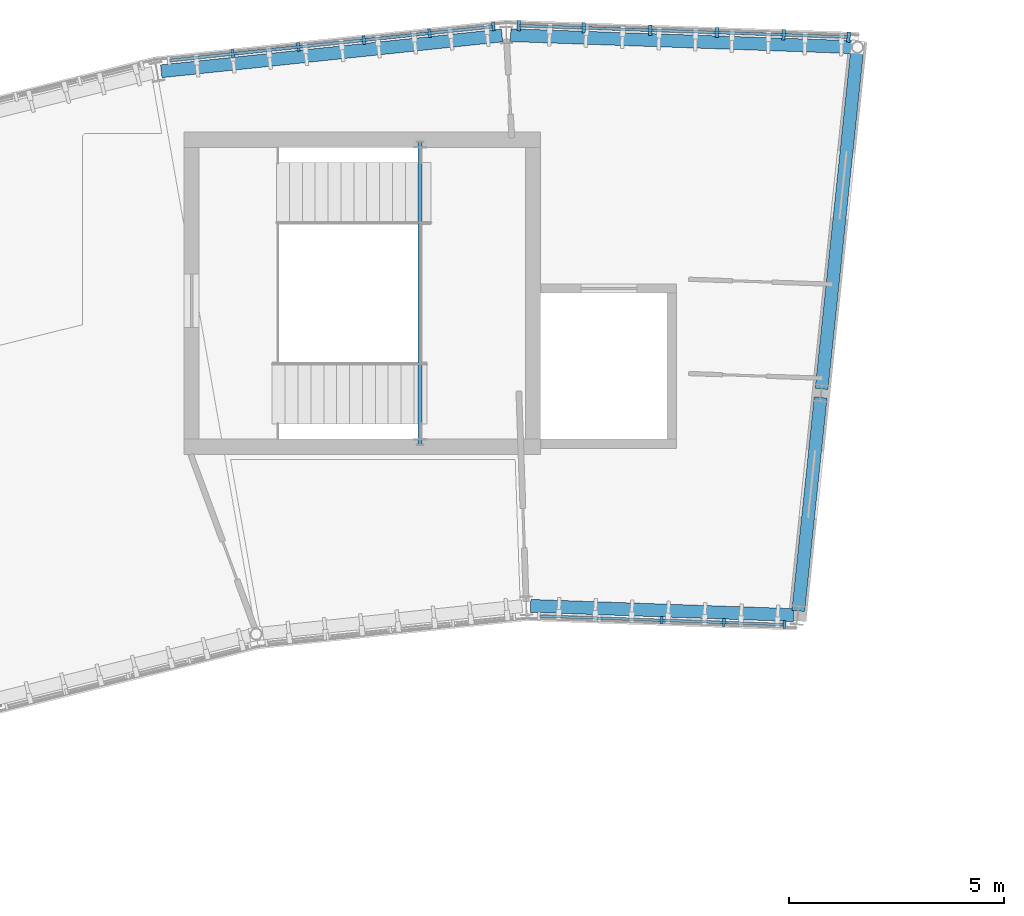
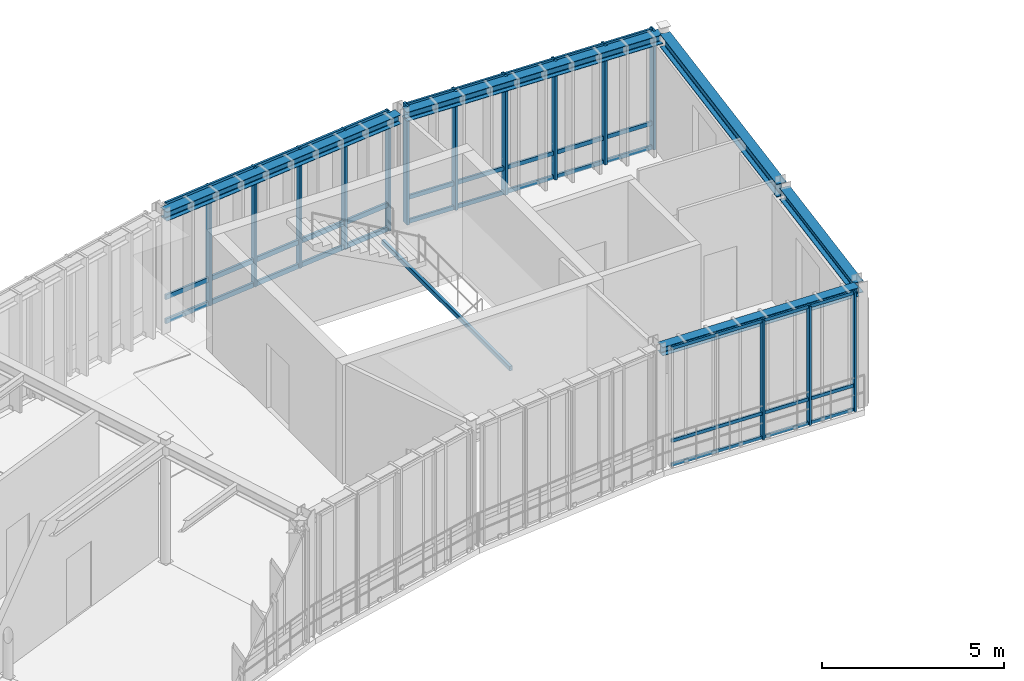
# One storey, part 22 of 52: 24 members, 5 beams, 3 elements without a shape of their own.
"""IFC4 building model written with IfcOpenShell, lengths in metres."""

from ifc_helpers import new_model, si_unit, direction, frame, origin, origin_2d, place, context, subcontext, project, spatial, rectangle, hollow_rectangle, i_section, extrude, material, layer, layer_set, material_profile, profile_set, type_object, element, aggregate, save


model = new_model("IFC4")

# Units and contexts
model_context = context("Model", 3, precision=1e-05, world=origin(), true_north=direction((0.0, 1.0)))
body_context = subcontext(model_context, "Body", "Model", "MODEL_VIEW")
ifc_project = project(units=[si_unit("LENGTHUNIT", "METRE"), si_unit("AREAUNIT", "SQUARE_METRE"), si_unit("VOLUMEUNIT", "CUBIC_METRE"), si_unit("PLANEANGLEUNIT", "RADIAN"), si_unit("MASSUNIT", "GRAM", prefix="KILO"), si_unit("THERMODYNAMICTEMPERATUREUNIT", "KELVIN"), si_unit("POWERUNIT", "WATT")], contexts=[model_context])

# Site, building, storey
site_placement = place(None, origin())
site = spatial("IfcSite", under=ifc_project, at=site_placement, CompositionType="ELEMENT")
building_placement = place(site_placement, origin())
building = spatial("IfcBuilding", under=site, at=building_placement, Name="Solvatero Civic Police Headquarters", CompositionType="ELEMENT")
storey_placement = place(building_placement, frame((0.0, 0.0, 13.5)))
storey = spatial("IfcBuildingStorey", under=building, at=storey_placement, Name="L03", CompositionType="ELEMENT", Elevation=13.5)

# Beams
ifc_material_1 = material(Name="Steel S355", Category="steel")
ifc_material_profile_1 = material_profile(ifc_material_1, i_section(OverallWidth=0.300048828125, OverallDepth=0.2900390625, WebThickness=0.008544921875, FlangeThickness=0.013916015625, FilletRadius=0.027099609375, at=origin_2d()), Name="HEA 300")
ifc_profile_set_1 = profile_set([ifc_material_profile_1], Name="Steel S355")
beam_type_1 = type_object("IfcBeamType", Name="BM-ST-HEA300", PredefinedType="SPANDREL", material=ifc_profile_set_1)
beam_1_placement = place(storey_placement, frame((98.640380859375, 71.10498046875, 3.85498046875), z_axis=(-0.999390615504, 0.034905553175, 0.0), x_axis=(-0.034905553175, -0.999390615504, 0.0)))
element("IfcBeam", 1, at=beam_1_placement, inside=storey, type_object=beam_type_1, Name="Perimeter / radial spandrel beam BM-R2-L03-ARC-CIN-B01", PredefinedType="SPANDREL", context=body_context, shape_type="SweptSolid", body=[
    extrude(i_section(OverallWidth=0.300048828125, OverallDepth=0.2900390625, WebThickness=0.008544921875, FlangeThickness=0.013916015625, FilletRadius=0.027099609375, at=origin_2d()), origin(), (0.0, 0.0, 1.0), 6.126953125),
])
ifc_material_profile_2 = material_profile(ifc_material_1, i_section(OverallWidth=0.300048828125, OverallDepth=0.31005859375, WebThickness=0.009033203125, FlangeThickness=0.015380859375, FilletRadius=0.027099609375, at=origin_2d()), Name="HEA 320")
ifc_profile_set_2 = profile_set([ifc_material_profile_2], Name="Steel S355")
beam_type_2 = type_object("IfcBeamType", Name="BM-ST-HEA320", PredefinedType="SPANDREL", material=ifc_profile_set_2)
beam_2_placement = place(storey_placement, frame((100.03076171875, 84.332275390625, 3.844970703125), z_axis=(-0.999390940069, 0.034896259223, 0.0), x_axis=(-0.034896259223, -0.999390940069, 0.0)))
element("IfcBeam", 2, at=beam_2_placement, inside=storey, type_object=beam_type_2, Name="Perimeter / radial spandrel beam BM-R2-L03-ARC-COUT-B01", PredefinedType="SPANDREL", context=body_context, shape_type="SweptSolid", body=[
    extrude(i_section(OverallWidth=0.300048828125, OverallDepth=0.31005859375, WebThickness=0.009033203125, FlangeThickness=0.015380859375, FilletRadius=0.027099609375, at=origin_2d()), origin(), (0.0, 0.0, 1.0), 7.982666015625),
])
beam_3_placement = place(storey_placement, frame((91.853515625, 84.603759765625, 3.844970703125), z_axis=(-0.994523705386, -0.10451124066, 0.0), x_axis=(0.10451124066, -0.994523705386, 0.0)))
element("IfcBeam", 3, at=beam_3_placement, inside=storey, type_object=beam_type_2, Name="Perimeter / radial spandrel beam BM-R2-L03-ARC-COUT-B02", PredefinedType="SPANDREL", context=body_context, shape_type="SweptSolid", body=[
    extrude(i_section(OverallWidth=0.300048828125, OverallDepth=0.31005859375, WebThickness=0.009033203125, FlangeThickness=0.015380859375, FilletRadius=0.027099609375, at=origin_2d()), origin(), (0.0, 0.0, 1.0), 7.982177734375),
])
ifc_material_profile_3 = material_profile(ifc_material_1, i_section(OverallWidth=0.300048828125, OverallDepth=0.389892578125, WebThickness=0.010986328125, FlangeThickness=0.01904296875, FilletRadius=0.027099609375, at=origin_2d()), Name="HEA 400")
ifc_profile_set_3 = profile_set([ifc_material_profile_3], Name="Steel S355")
beam_type_3 = type_object("IfcBeamType", Name="BM-ST-HEA400", PredefinedType="BEAM", material=ifc_profile_set_3)
beam_4_placement = place(storey_placement, frame((98.7509765625, 71.201171875, 3.804931640625), z_axis=(0.104496685935, 0.994525234787, 0.0), x_axis=(-0.994525234787, 0.104496685935, 0.0)))
element("IfcBeam", 4, at=beam_4_placement, inside=storey, type_object=beam_type_3, Name="Primary girder BM-R2-L03-ARC-RAD1-S00", PredefinedType="BEAM", context=body_context, shape_type="SweptSolid", body=[
    extrude(i_section(OverallWidth=0.300048828125, OverallDepth=0.389892578125, WebThickness=0.010986328125, FlangeThickness=0.01904296875, FilletRadius=0.027099609375, at=origin_2d()), origin(), (0.0, 0.0, 1.0), 4.999755859375),
])
ifc_material_profile_4 = material_profile(ifc_material_1, i_section(OverallWidth=0.300048828125, OverallDepth=0.43994140625, WebThickness=0.011474609375, FlangeThickness=0.02099609375, FilletRadius=0.027099609375, at=origin_2d()), Name="HEA 450")
ifc_profile_set_4 = profile_set([ifc_material_profile_4], Name="Steel S355")
beam_type_4 = type_object("IfcBeamType", Name="BM-ST-HEA450", PredefinedType="BEAM", material=ifc_profile_set_4)
beam_5_placement = place(storey_placement, frame((99.29443359375, 76.37255859375, 3.780029296875), z_axis=(0.104517477854, 0.99452304992, 0.0), x_axis=(-0.99452304992, 0.104517477854, 0.0)))
element("IfcBeam", 5, at=beam_5_placement, inside=storey, type_object=beam_type_4, Name="Primary girder BM-R2-L03-ARC-RAD2-S00", PredefinedType="BEAM", context=body_context, shape_type="SweptSolid", body=[
    extrude(i_section(OverallWidth=0.300048828125, OverallDepth=0.43994140625, WebThickness=0.011474609375, FlangeThickness=0.02099609375, FilletRadius=0.027099609375, at=origin_2d()), origin(), (0.0, 0.0, 1.0), 7.89990234375),
])

# Curtain wall, members
ifc_material_2 = material(Name="Anodized Bronze Aluminium", Category="aluminium")
ifc_layer_1 = layer(ifc_material_2, 0.179931640625)
ifc_layer_set_1 = layer_set([ifc_layer_1], Name="Anodized Bronze Aluminium")
curtain_wall_type_1 = type_object("IfcCurtainWallType", Name="CW-ARC-OUT", PredefinedType="USERDEFINED", material=ifc_layer_set_1)
curtain_wall_1_placement = place(storey_placement, origin())
curtain_wall_1 = element("IfcCurtainWall", 6, at=curtain_wall_1_placement, inside=storey, type_object=curtain_wall_type_1, Name="Curtain Wall CW-R2-L03-ARC-OUT-B01", ObjectType="UNITISED", PredefinedType="USERDEFINED")
ifc_material_profile_5 = material_profile(ifc_material_2, rectangle(XDim=0.080078125, YDim=0.239990234375, at=origin_2d()), Name="ALU MULLION 80x240")
ifc_profile_set_5 = profile_set([ifc_material_profile_5], Name="Anodized Bronze Aluminium")
member_type_1 = type_object("IfcMemberType", Name="CWM-140x60", PredefinedType="MULLION", material=ifc_profile_set_5)
member_1_placement = place(storey_placement, frame((99.922119140625, 84.5654296875, 0.0), z_axis=(0.0, 0.0, 1.0), x_axis=(-0.999390217756, 0.034916939358, 0.0)))
member_1 = element("IfcMember", 7, at=member_1_placement, type_object=member_type_1, Name="CW-R2-L03-ARC-OUT-B01 Mullion 1", PredefinedType="MULLION", context=body_context, shape_type="SweptSolid", body=[
    extrude(rectangle(XDim=0.080078125, YDim=0.239990234375, at=origin_2d()), origin(), (0.0, 0.0, 1.0), 4.0),
])
member_2_placement = place(storey_placement, frame((98.409912109375, 84.618408203125, 0.0), z_axis=(0.0, 0.0, 1.0), x_axis=(-0.999390217756, 0.034916939358, 0.0)))
member_2 = element("IfcMember", 8, at=member_2_placement, type_object=member_type_1, Name="CW-R2-L03-ARC-OUT-B01 Mullion 2", PredefinedType="MULLION", context=body_context, shape_type="SweptSolid", body=[
    extrude(rectangle(XDim=0.080078125, YDim=0.239990234375, at=origin_2d()), origin(), (0.0, 0.0, 1.0), 4.0),
])
member_3_placement = place(storey_placement, frame((96.857666015625, 84.672607421875, 0.0), z_axis=(0.0, 0.0, 1.0), x_axis=(-0.999390217756, 0.034916939358, 0.0)))
member_3 = element("IfcMember", 9, at=member_3_placement, type_object=member_type_1, Name="CW-R2-L03-ARC-OUT-B01 Mullion 3", PredefinedType="MULLION", context=body_context, shape_type="SweptSolid", body=[
    extrude(rectangle(XDim=0.080078125, YDim=0.239990234375, at=origin_2d()), origin(), (0.0, 0.0, 1.0), 4.0),
])
member_4_placement = place(storey_placement, frame((95.305419921875, 84.726806640625, 0.0), z_axis=(0.0, 0.0, 1.0), x_axis=(-0.999390217756, 0.034916939358, 0.0)))
member_4 = element("IfcMember", 10, at=member_4_placement, type_object=member_type_1, Name="CW-R2-L03-ARC-OUT-B01 Mullion 4", PredefinedType="MULLION", context=body_context, shape_type="SweptSolid", body=[
    extrude(rectangle(XDim=0.080078125, YDim=0.239990234375, at=origin_2d()), origin(), (0.0, 0.0, 1.0), 4.0),
])
member_5_placement = place(storey_placement, frame((93.753173828125, 84.781005859375, 0.0), z_axis=(0.0, 0.0, 1.0), x_axis=(-0.999390217756, 0.034916939358, 0.0)))
member_5 = element("IfcMember", 11, at=member_5_placement, type_object=member_type_1, Name="CW-R2-L03-ARC-OUT-B01 Mullion 5", PredefinedType="MULLION", context=body_context, shape_type="SweptSolid", body=[
    extrude(rectangle(XDim=0.080078125, YDim=0.239990234375, at=origin_2d()), origin(), (0.0, 0.0, 1.0), 4.0),
])
member_6_placement = place(storey_placement, frame((92.240966796875, 84.833740234375, 0.0), z_axis=(0.0, 0.0, 1.0), x_axis=(-0.999390217756, 0.034916939358, 0.0)))
member_6 = element("IfcMember", 12, at=member_6_placement, type_object=member_type_1, Name="CW-R2-L03-ARC-OUT-B01 Mullion 6", PredefinedType="MULLION", context=body_context, shape_type="SweptSolid", body=[
    extrude(rectangle(XDim=0.080078125, YDim=0.239990234375, at=origin_2d()), origin(), (0.0, 0.0, 1.0), 4.0),
])

ifc_layer_2 = layer(ifc_material_2, 0.179931640625)
ifc_layer_set_2 = layer_set([ifc_layer_2], Name="Anodized Bronze Aluminium")
curtain_wall_type_2 = type_object("IfcCurtainWallType", Name="CW-ARC-IN", PredefinedType="USERDEFINED", material=ifc_layer_set_2)
curtain_wall_2_placement = place(storey_placement, origin())
curtain_wall_2 = element("IfcCurtainWall", 13, at=curtain_wall_2_placement, inside=storey, type_object=curtain_wall_type_2, Name="Curtain Wall CW-R2-L03-ARC-IN-B01", ObjectType="UNITISED", PredefinedType="USERDEFINED")
ifc_material_profile_6 = material_profile(ifc_material_2, rectangle(XDim=0.06494140625, YDim=0.179931640625, at=origin_2d()), Name="ALU MULLION 65x180")
ifc_profile_set_6 = profile_set([ifc_material_profile_6], Name="Anodized Bronze Aluminium")
member_type_2 = type_object("IfcMemberType", Name="CWM-200x75", PredefinedType="MULLION", material=ifc_profile_set_6)
member_7_placement = place(storey_placement, frame((98.427490234375, 70.8828125, 0.0), z_axis=(0.0, 0.0, 1.0), x_axis=(-0.999390827019, 0.034899496703, 0.0)))
member_7 = element("IfcMember", 14, at=member_7_placement, type_object=member_type_2, Name="CW-R2-L03-ARC-IN-B01 Mullion 1", PredefinedType="MULLION", context=body_context, shape_type="SweptSolid", body=[
    extrude(rectangle(XDim=0.06494140625, YDim=0.179931640625, at=origin_2d()), origin(), (0.0, 0.0, 1.0), 4.0),
])
member_8_placement = place(storey_placement, frame((97.019287109375, 70.93212890625, 0.0), z_axis=(0.0, 0.0, 1.0), x_axis=(-0.999390827019, 0.034899496703, 0.0)))
member_8 = element("IfcMember", 15, at=member_8_placement, type_object=member_type_2, Name="CW-R2-L03-ARC-IN-B01 Mullion 2", PredefinedType="MULLION", context=body_context, shape_type="SweptSolid", body=[
    extrude(rectangle(XDim=0.06494140625, YDim=0.179931640625, at=origin_2d()), origin(), (0.0, 0.0, 1.0), 4.0),
])
member_9_placement = place(storey_placement, frame((95.57080078125, 70.982666015625, 0.0), z_axis=(0.0, 0.0, 1.0), x_axis=(-0.999390827019, 0.034899496703, 0.0)))
member_9 = element("IfcMember", 16, at=member_9_placement, type_object=member_type_2, Name="CW-R2-L03-ARC-IN-B01 Mullion 3", PredefinedType="MULLION", context=body_context, shape_type="SweptSolid", body=[
    extrude(rectangle(XDim=0.06494140625, YDim=0.179931640625, at=origin_2d()), origin(), (0.0, 0.0, 1.0), 4.0),
])

curtain_wall_3_placement = place(storey_placement, origin())
curtain_wall_3 = element("IfcCurtainWall", 17, at=curtain_wall_3_placement, inside=storey, type_object=curtain_wall_type_1, Name="Curtain Wall CW-R2-L03-ARC-OUT-B02", ObjectType="UNITISED", PredefinedType="USERDEFINED")
ifc_material_profile_7 = material_profile(ifc_material_2, rectangle(XDim=0.070068359375, YDim=0.199951171875, at=origin_2d()), Name="ALU MULLION 70x200")
ifc_profile_set_7 = profile_set([ifc_material_profile_7], Name="Anodized Bronze Aluminium")
member_type_3 = type_object("IfcMemberType", Name="CWM-220x80", PredefinedType="MULLION", material=ifc_profile_set_7)
member_10_placement = place(storey_placement, frame((91.650634765625, 84.81298828125, 0.0), z_axis=(0.0, 0.0, 1.0), x_axis=(-0.994523719583, -0.10451110557, 0.0)))
member_10 = element("IfcMember", 18, at=member_10_placement, type_object=member_type_3, Name="CW-R2-L03-ARC-OUT-B02 Mullion 1", PredefinedType="MULLION", context=body_context, shape_type="SweptSolid", body=[
    extrude(rectangle(XDim=0.070068359375, YDim=0.199951171875, at=origin_2d()), origin(), (0.0, 0.0, 1.0), 4.0),
])
member_11_placement = place(storey_placement, frame((90.163330078125, 84.65673828125, 0.0), z_axis=(0.0, 0.0, 1.0), x_axis=(-0.994523719583, -0.10451110557, 0.0)))
member_11 = element("IfcMember", 19, at=member_11_placement, type_object=member_type_3, Name="CW-R2-L03-ARC-OUT-B02 Mullion 2", PredefinedType="MULLION", context=body_context, shape_type="SweptSolid", body=[
    extrude(rectangle(XDim=0.070068359375, YDim=0.199951171875, at=origin_2d()), origin(), (0.0, 0.0, 1.0), 4.0),
])
member_12_placement = place(storey_placement, frame((88.63623046875, 84.496337890625, 0.0), z_axis=(0.0, 0.0, 1.0), x_axis=(-0.994523719583, -0.10451110557, 0.0)))
member_12 = element("IfcMember", 20, at=member_12_placement, type_object=member_type_3, Name="CW-R2-L03-ARC-OUT-B02 Mullion 3", PredefinedType="MULLION", context=body_context, shape_type="SweptSolid", body=[
    extrude(rectangle(XDim=0.070068359375, YDim=0.199951171875, at=origin_2d()), origin(), (0.0, 0.0, 1.0), 4.0),
])
member_13_placement = place(storey_placement, frame((87.109130859375, 84.335693359375, 0.0), z_axis=(0.0, 0.0, 1.0), x_axis=(-0.994523719583, -0.10451110557, 0.0)))
member_13 = element("IfcMember", 21, at=member_13_placement, type_object=member_type_3, Name="CW-R2-L03-ARC-OUT-B02 Mullion 4", PredefinedType="MULLION", context=body_context, shape_type="SweptSolid", body=[
    extrude(rectangle(XDim=0.070068359375, YDim=0.199951171875, at=origin_2d()), origin(), (0.0, 0.0, 1.0), 4.0),
])
member_14_placement = place(storey_placement, frame((85.582275390625, 84.17529296875, 0.0), z_axis=(0.0, 0.0, 1.0), x_axis=(-0.994523719583, -0.10451110557, 0.0)))
member_14 = element("IfcMember", 22, at=member_14_placement, type_object=member_type_3, Name="CW-R2-L03-ARC-OUT-B02 Mullion 5", PredefinedType="MULLION", context=body_context, shape_type="SweptSolid", body=[
    extrude(rectangle(XDim=0.070068359375, YDim=0.199951171875, at=origin_2d()), origin(), (0.0, 0.0, 1.0), 4.0),
])
ifc_material_profile_8 = material_profile(ifc_material_2, rectangle(XDim=0.070068359375, YDim=0.159912109375, at=origin_2d()), Name="ALU TRANSOM 70x160")
ifc_profile_set_8 = profile_set([ifc_material_profile_8], Name="Anodized Bronze Aluminium")
member_type_4 = type_object("IfcMemberType", Name="CWT-120x55", PredefinedType="USERDEFINED", material=ifc_profile_set_8)
member_15_placement = place(storey_placement, frame((91.640625, 84.81201171875, 0.0400390625), z_axis=(-0.994522740829, -0.104520418934, 0.0), x_axis=(0.104520418934, -0.994522740829, 0.0)))
member_15 = element("IfcMember", 23, at=member_15_placement, type_object=member_type_4, Name="CW-R2-L03-ARC-OUT-B02 Transom 1", ObjectType="TRANSOM", PredefinedType="USERDEFINED", context=body_context, shape_type="SweptSolid", body=[
    extrude(rectangle(XDim=0.070068359375, YDim=0.159912109375, at=origin_2d()), origin(), (0.0, 0.0, 1.0), 7.577392578125),
])
member_16_placement = place(storey_placement, frame((91.640625, 84.81201171875, 0.85009765625), z_axis=(-0.994522740829, -0.104520418934, 0.0), x_axis=(0.104520418934, -0.994522740829, 0.0)))
member_16 = element("IfcMember", 24, at=member_16_placement, type_object=member_type_4, Name="CW-R2-L03-ARC-OUT-B02 Transom 2", ObjectType="TRANSOM", PredefinedType="USERDEFINED", context=body_context, shape_type="SweptSolid", body=[
    extrude(rectangle(XDim=0.070068359375, YDim=0.159912109375, at=origin_2d()), origin(), (0.0, 0.0, 1.0), 7.577392578125),
])
member_17_placement = place(storey_placement, frame((91.640625, 84.81201171875, 3.9599609375), z_axis=(-0.994522740829, -0.104520418934, 0.0), x_axis=(0.104520418934, -0.994522740829, 0.0)))
member_17 = element("IfcMember", 25, at=member_17_placement, type_object=member_type_4, Name="CW-R2-L03-ARC-OUT-B02 Transom 3", ObjectType="TRANSOM", PredefinedType="USERDEFINED", context=body_context, shape_type="SweptSolid", body=[
    extrude(rectangle(XDim=0.070068359375, YDim=0.159912109375, at=origin_2d()), origin(), (0.0, 0.0, 1.0), 7.577392578125),
])
aggregate(curtain_wall_3, [member_10, member_11, member_12, member_13, member_14, member_15, member_16, member_17])

# Member
ifc_material_profile_9 = material_profile(ifc_material_2, rectangle(XDim=0.06005859375, YDim=0.110107421875, at=origin_2d()), Name="ALU TRANSOM 60x110")
ifc_profile_set_9 = profile_set([ifc_material_profile_9], Name="Anodized Bronze Aluminium")
member_type_5 = type_object("IfcMemberType", Name="CWT-140x60", PredefinedType="USERDEFINED", material=ifc_profile_set_9)
member_18_placement = place(storey_placement, frame((98.41748046875, 70.88330078125, 0.0400390625), z_axis=(-0.999391353564, 0.034884415172, 0.0), x_axis=(-0.034884415172, -0.999391353564, 0.0)))
member_18 = element("IfcMember", 26, at=member_18_placement, type_object=member_type_5, Name="CW-R2-L03-ARC-IN-B01 Transom 1", ObjectType="TRANSOM", PredefinedType="USERDEFINED", context=body_context, shape_type="SweptSolid", body=[
    extrude(rectangle(XDim=0.06005859375, YDim=0.110107421875, at=origin_2d()), origin(), (0.0, 0.0, 1.0), 5.69677734375),
])

member_19_placement = place(storey_placement, frame((98.41748046875, 70.88330078125, 0.85009765625), z_axis=(-0.999391353564, 0.034884415172, 0.0), x_axis=(-0.034884415172, -0.999391353564, 0.0)))
member_19 = element("IfcMember", 27, at=member_19_placement, type_object=member_type_5, Name="CW-R2-L03-ARC-IN-B01 Transom 2", ObjectType="TRANSOM", PredefinedType="USERDEFINED", context=body_context, shape_type="SweptSolid", body=[
    extrude(rectangle(XDim=0.06005859375, YDim=0.110107421875, at=origin_2d()), origin(), (0.0, 0.0, 1.0), 5.69677734375),
])

member_20_placement = place(storey_placement, frame((98.41748046875, 70.88330078125, 3.9599609375), z_axis=(-0.999391353564, 0.034884415172, 0.0), x_axis=(-0.034884415172, -0.999391353564, 0.0)))
member_20 = element("IfcMember", 28, at=member_20_placement, type_object=member_type_5, Name="CW-R2-L03-ARC-IN-B01 Transom 3", ObjectType="TRANSOM", PredefinedType="USERDEFINED", context=body_context, shape_type="SweptSolid", body=[
    extrude(rectangle(XDim=0.06005859375, YDim=0.110107421875, at=origin_2d()), origin(), (0.0, 0.0, 1.0), 5.69677734375),
])

aggregate(curtain_wall_2, [member_7, member_8, member_9, member_18, member_19, member_20])

ifc_material_profile_10 = material_profile(ifc_material_2, rectangle(XDim=0.06494140625, YDim=0.139892578125, at=origin_2d()), Name="ALU TRANSOM 65x140")
ifc_profile_set_10 = profile_set([ifc_material_profile_10], Name="Anodized Bronze Aluminium")
member_type_6 = type_object("IfcMemberType", Name="CWT-180x70", PredefinedType="USERDEFINED", material=ifc_profile_set_10)
member_21_placement = place(storey_placement, frame((99.912109375, 84.56591796875, 0.0400390625), z_axis=(-0.999390620111, 0.034905421276, 0.0), x_axis=(-0.034905421276, -0.999390620111, 0.0)))
member_21 = element("IfcMember", 29, at=member_21_placement, type_object=member_type_6, Name="CW-R2-L03-ARC-OUT-B01 Transom 1", ObjectType="TRANSOM", PredefinedType="USERDEFINED", context=body_context, shape_type="SweptSolid", body=[
    extrude(rectangle(XDim=0.06494140625, YDim=0.139892578125, at=origin_2d()), origin(), (0.0, 0.0, 1.0), 7.665771484375),
])

member_22_placement = place(storey_placement, frame((99.912109375, 84.56591796875, 0.85009765625), z_axis=(-0.999390620111, 0.034905421276, 0.0), x_axis=(-0.034905421276, -0.999390620111, 0.0)))
member_22 = element("IfcMember", 30, at=member_22_placement, type_object=member_type_6, Name="CW-R2-L03-ARC-OUT-B01 Transom 2", ObjectType="TRANSOM", PredefinedType="USERDEFINED", context=body_context, shape_type="SweptSolid", body=[
    extrude(rectangle(XDim=0.06494140625, YDim=0.139892578125, at=origin_2d()), origin(), (0.0, 0.0, 1.0), 7.665771484375),
])

member_23_placement = place(storey_placement, frame((99.912109375, 84.56591796875, 3.9599609375), z_axis=(-0.999390620111, 0.034905421276, 0.0), x_axis=(-0.034905421276, -0.999390620111, 0.0)))
member_23 = element("IfcMember", 31, at=member_23_placement, type_object=member_type_6, Name="CW-R2-L03-ARC-OUT-B01 Transom 3", ObjectType="TRANSOM", PredefinedType="USERDEFINED", context=body_context, shape_type="SweptSolid", body=[
    extrude(rectangle(XDim=0.06494140625, YDim=0.139892578125, at=origin_2d()), origin(), (0.0, 0.0, 1.0), 7.665771484375),
])

aggregate(curtain_wall_1, [member_1, member_2, member_3, member_4, member_5, member_6, member_21, member_22, member_23])

ifc_material_profile_11 = material_profile(ifc_material_1, hollow_rectangle(XDim=0.10009765625, YDim=0.14990234375, WallThickness=0.00634765625, InnerFilletRadius=0.00634765625, OuterFilletRadius=0.0126953125, at=origin_2d()), Name="RHS 150x100x6.3")
ifc_profile_set_11 = profile_set([ifc_material_profile_11], Name="Steel S355")
member_type_7 = type_object("IfcMemberType", Name="MB-BR-RHS150", PredefinedType="BRACE", material=ifc_profile_set_11)
member_24_placement = place(storey_placement, frame((89.93994140625, 75.080078125, 1.824951171875), z_axis=(0.0, 1.0, 0.0), x_axis=(-1.0, 0.0, 0.0)))
element("IfcMember", 32, at=member_24_placement, inside=storey, type_object=member_type_7, Name="ST-C3 L03 Landing Support Beam", PredefinedType="BRACE", context=body_context, shape_type="SweptSolid", body=[
    extrude(hollow_rectangle(XDim=0.10009765625, YDim=0.14990234375, WallThickness=0.00634765625, InnerFilletRadius=0.00634765625, OuterFilletRadius=0.0126953125, at=origin_2d()), origin(), (0.0, 0.0, 1.0), 7.0400390625),
])

save(model, "model.ifc")
